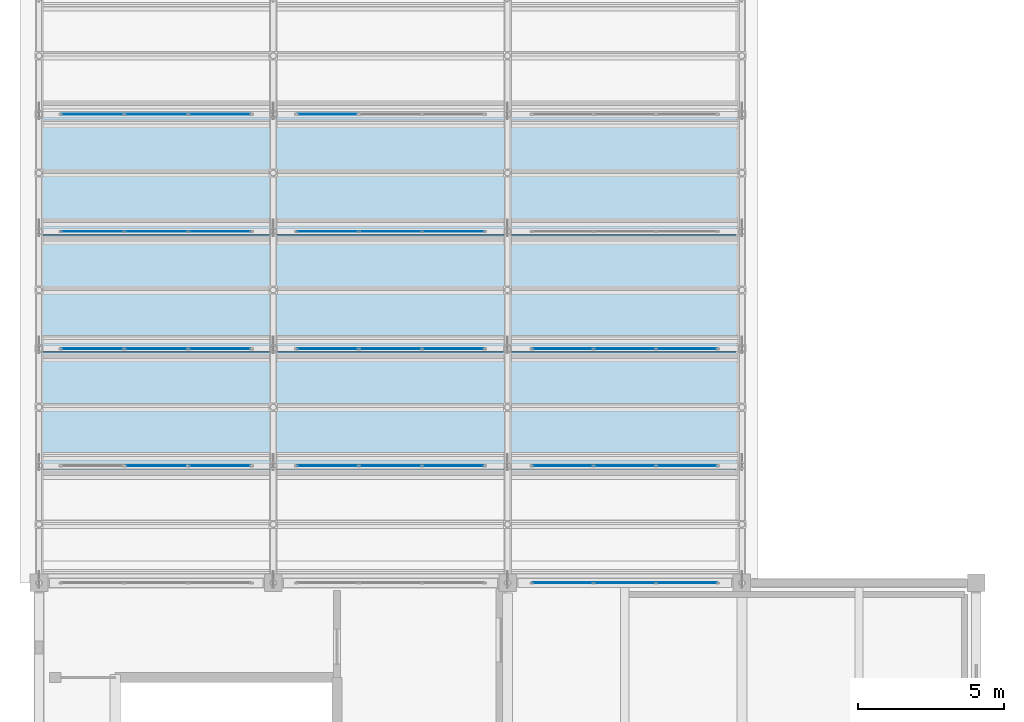
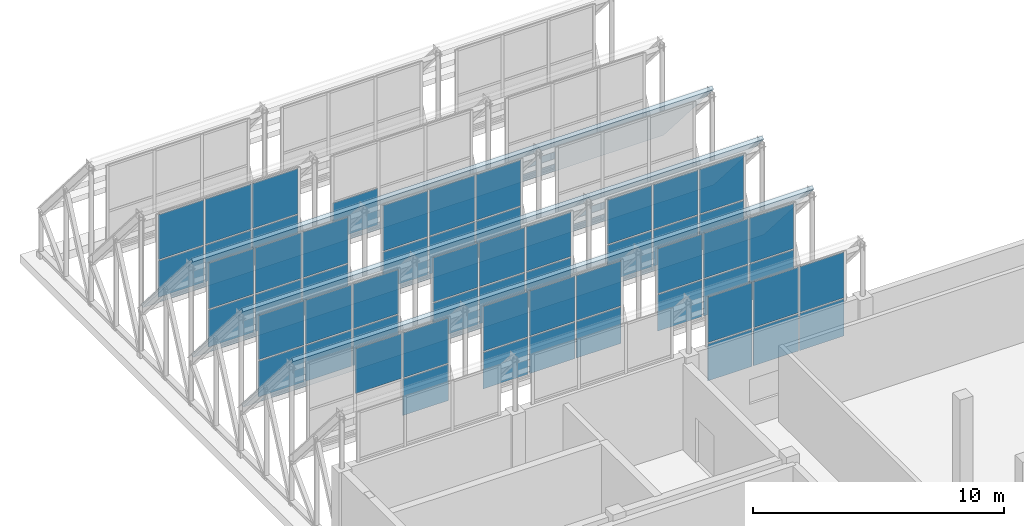
# One storey, part 31 of 43: 58 plates, 3 slabs, 14 elements without a shape of their own.
"""IFC4 building model written with IfcOpenShell, lengths in metres."""

from ifc_helpers import new_model, si_unit, direction, frame, origin, origin_2d, place, context, subcontext, project, spatial, polyline, rectangle, outline, extrude, material, layer, layer_set, type_object, element, aggregate, save


model = new_model("IFC4")

# Units and contexts
model_context = context("Model", 3, precision=1e-05, world=origin(), true_north=direction((0.0, 1.0)))
body_context = subcontext(model_context, "Body", "Model", "MODEL_VIEW")
ifc_project = project(units=[si_unit("LENGTHUNIT", "METRE"), si_unit("AREAUNIT", "SQUARE_METRE"), si_unit("VOLUMEUNIT", "CUBIC_METRE"), si_unit("PLANEANGLEUNIT", "RADIAN"), si_unit("MASSUNIT", "GRAM", prefix="KILO")], contexts=[model_context])

# Site, building, storey
site_placement = place(None, origin())
site = spatial("IfcSite", under=ifc_project, at=site_placement, CompositionType="ELEMENT")
building_placement = place(site_placement, origin())
building = spatial("IfcBuilding", under=site, at=building_placement, Name="Qorikala Patio Media Centre", CompositionType="ELEMENT")
storey_placement = place(building_placement, frame((0.0, 0.0, 18.89990234375)))
storey = spatial("IfcBuildingStorey", under=building, at=storey_placement, Name="L04", CompositionType="ELEMENT", Elevation=18.89990234375)

# Curtain wall, plates
ifc_material_1 = material(Name="Bronze Anodised Aluminium and Low-E Glass", Category="aluminium")
ifc_layer_1 = layer(ifc_material_1, 0.159912109375)
ifc_layer_set_1 = layer_set([ifc_layer_1], Name="Bronze Anodised Aluminium and Low-E Glass")
curtain_wall_type_1 = type_object("IfcCurtainWallType", Name="CW-SAW-640X420", PredefinedType="USERDEFINED", material=ifc_layer_set_1)
curtain_wall_1_placement = place(storey_placement, origin())
curtain_wall_1 = element("IfcCurtainWall", 1, at=curtain_wall_1_placement, inside=storey, type_object=curtain_wall_type_1, Name="L04 Sawtooth Glazing 144", ObjectType="SAWTOOTH GLAZING", PredefinedType="USERDEFINED")
ifc_material_2 = material(Name="Acoustic Laminated Low-E Glass", Category="glass")
ifc_layer_2 = layer(ifc_material_2, 0.031982421875)
ifc_layer_set_2 = layer_set([ifc_layer_2], Name="Acoustic Laminated Low-E Glass")
plate_type = type_object("IfcPlateType", Name="CWP-32", PredefinedType="CURTAIN_PANEL", material=ifc_layer_set_2)
plate_1_placement = place(storey_placement, frame((20.881591796875, 72.0, 2.81005859375), z_axis=(0.0, 0.0, 1.0), x_axis=(1.0, 0.0, 0.0)))
plate_1 = element("IfcPlate", 2, at=plate_1_placement, type_object=plate_type, Name="CWS640420 panel 1.1", PredefinedType="CURTAIN_PANEL", context=body_context, shape_type="SweptSolid", body=[
    extrude(rectangle(XDim=2.043212890625, YDim=0.031982421875, at=origin_2d()), origin(), (0.0, 0.0, 1.0), 1.800048828125),
])
plate_2_placement = place(storey_placement, frame((20.881591796875, 72.0, 4.669921875), z_axis=(0.0, 0.0, 1.0), x_axis=(1.0, 0.0, 0.0)))
plate_2 = element("IfcPlate", 3, at=plate_2_placement, type_object=plate_type, Name="CWS640420 panel 1.2", PredefinedType="CURTAIN_PANEL", context=body_context, shape_type="SweptSolid", body=[
    extrude(rectangle(XDim=2.043212890625, YDim=0.031982421875, at=origin_2d()), origin(), (0.0, 0.0, 1.0), 2.219970703125),
])
plate_3_placement = place(storey_placement, frame((23.0, 72.0, 2.81005859375), z_axis=(0.0, 0.0, 1.0), x_axis=(1.0, 0.0, 0.0)))
plate_3 = element("IfcPlate", 4, at=plate_3_placement, type_object=plate_type, Name="CWS640420 panel 2.1", PredefinedType="CURTAIN_PANEL", context=body_context, shape_type="SweptSolid", body=[
    extrude(rectangle(XDim=2.0732421875, YDim=0.031982421875, at=origin_2d()), origin(), (0.0, 0.0, 1.0), 1.800048828125),
])
plate_4_placement = place(storey_placement, frame((23.0, 72.0, 4.669921875), z_axis=(0.0, 0.0, 1.0), x_axis=(1.0, 0.0, 0.0)))
plate_4 = element("IfcPlate", 5, at=plate_4_placement, type_object=plate_type, Name="CWS640420 panel 2.2", PredefinedType="CURTAIN_PANEL", context=body_context, shape_type="SweptSolid", body=[
    extrude(rectangle(XDim=2.0732421875, YDim=0.031982421875, at=origin_2d()), origin(), (0.0, 0.0, 1.0), 2.219970703125),
])
plate_5_placement = place(storey_placement, frame((25.118408203125, 72.0, 2.81005859375), z_axis=(0.0, 0.0, 1.0), x_axis=(1.0, 0.0, 0.0)))
plate_5 = element("IfcPlate", 6, at=plate_5_placement, type_object=plate_type, Name="CWS640420 panel 3.1", PredefinedType="CURTAIN_PANEL", context=body_context, shape_type="SweptSolid", body=[
    extrude(rectangle(XDim=2.043212890625, YDim=0.031982421875, at=origin_2d()), origin(), (0.0, 0.0, 1.0), 1.800048828125),
])
plate_6_placement = place(storey_placement, frame((25.118408203125, 72.0, 4.669921875), z_axis=(0.0, 0.0, 1.0), x_axis=(1.0, 0.0, 0.0)))
plate_6 = element("IfcPlate", 7, at=plate_6_placement, type_object=plate_type, Name="CWS640420 panel 3.2", PredefinedType="CURTAIN_PANEL", context=body_context, shape_type="SweptSolid", body=[
    extrude(rectangle(XDim=2.043212890625, YDim=0.031982421875, at=origin_2d()), origin(), (0.0, 0.0, 1.0), 2.219970703125),
])
aggregate(curtain_wall_1, [plate_1, plate_2, plate_3, plate_4, plate_5, plate_6])

ifc_layer_3 = layer(ifc_material_1, 0.159912109375)
ifc_layer_set_3 = layer_set([ifc_layer_3], Name="Bronze Anodised Aluminium and Low-E Glass")
curtain_wall_type_2 = type_object("IfcCurtainWallType", Name="CW-SAW-656X414", PredefinedType="USERDEFINED", material=ifc_layer_set_3)
curtain_wall_2_placement = place(storey_placement, origin())
curtain_wall_2 = element("IfcCurtainWall", 8, at=curtain_wall_2_placement, inside=storey, type_object=curtain_wall_type_2, Name="L04 Sawtooth Glazing 145", ObjectType="SAWTOOTH GLAZING", PredefinedType="USERDEFINED")
plate_7_placement = place(storey_placement, frame((7.0, 76.0, 4.64306640625), z_axis=(0.0, 0.0, 1.0), x_axis=(1.0, 0.0, 0.0)))
plate_7 = element("IfcPlate", 9, at=plate_7_placement, type_object=plate_type, Name="CWS656414 panel 2.2", PredefinedType="CURTAIN_PANEL", context=body_context, shape_type="SweptSolid", body=[
    extrude(rectangle(XDim=2.126708984375, YDim=0.031982421875, at=origin_2d()), origin(), (0.0, 0.0, 1.0), 2.18701171875),
])
plate_8_placement = place(storey_placement, frame((9.171630859375, 76.0, 2.81005859375), z_axis=(0.0, 0.0, 1.0), x_axis=(1.0, 0.0, 0.0)))
plate_8 = element("IfcPlate", 10, at=plate_8_placement, type_object=plate_type, Name="CWS656414 panel 3.1", PredefinedType="CURTAIN_PANEL", context=body_context, shape_type="SweptSolid", body=[
    extrude(rectangle(XDim=2.0966796875, YDim=0.031982421875, at=origin_2d()), origin(), (0.0, 0.0, 1.0), 1.77294921875),
])
plate_9_placement = place(storey_placement, frame((9.171630859375, 76.0, 4.64306640625), z_axis=(0.0, 0.0, 1.0), x_axis=(1.0, 0.0, 0.0)))
plate_9 = element("IfcPlate", 11, at=plate_9_placement, type_object=plate_type, Name="CWS656414 panel 3.2", PredefinedType="CURTAIN_PANEL", context=body_context, shape_type="SweptSolid", body=[
    extrude(rectangle(XDim=2.0966796875, YDim=0.031982421875, at=origin_2d()), origin(), (0.0, 0.0, 1.0), 2.18701171875),
])
aggregate(curtain_wall_2, [plate_7, plate_8, plate_9])

ifc_layer_4 = layer(ifc_material_1, 0.159912109375)
ifc_layer_set_4 = layer_set([ifc_layer_4], Name="Bronze Anodised Aluminium and Low-E Glass")
curtain_wall_type_3 = type_object("IfcCurtainWallType", Name="CW-SAW-648X414", PredefinedType="USERDEFINED", material=ifc_layer_set_4)
curtain_wall_3_placement = place(storey_placement, origin())
curtain_wall_3 = element("IfcCurtainWall", 12, at=curtain_wall_3_placement, inside=storey, type_object=curtain_wall_type_3, Name="L04 Sawtooth Glazing 146", ObjectType="SAWTOOTH GLAZING", PredefinedType="USERDEFINED")
plate_10_placement = place(storey_placement, frame((12.85498046875, 76.0, 2.81005859375), z_axis=(0.0, 0.0, 1.0), x_axis=(1.0, 0.0, 0.0)))
plate_10 = element("IfcPlate", 13, at=plate_10_placement, type_object=plate_type, Name="CWS648414 panel 1.1", PredefinedType="CURTAIN_PANEL", context=body_context, shape_type="SweptSolid", body=[
    extrude(rectangle(XDim=2.070068359375, YDim=0.031982421875, at=origin_2d()), origin(), (0.0, 0.0, 1.0), 1.77294921875),
])
plate_11_placement = place(storey_placement, frame((12.85498046875, 76.0, 4.64306640625), z_axis=(0.0, 0.0, 1.0), x_axis=(1.0, 0.0, 0.0)))
plate_11 = element("IfcPlate", 14, at=plate_11_placement, type_object=plate_type, Name="CWS648414 panel 1.2", PredefinedType="CURTAIN_PANEL", context=body_context, shape_type="SweptSolid", body=[
    extrude(rectangle(XDim=2.070068359375, YDim=0.031982421875, at=origin_2d()), origin(), (0.0, 0.0, 1.0), 2.18701171875),
])
plate_12_placement = place(storey_placement, frame((15.0, 76.0, 2.81005859375), z_axis=(0.0, 0.0, 1.0), x_axis=(1.0, 0.0, 0.0)))
plate_12 = element("IfcPlate", 15, at=plate_12_placement, type_object=plate_type, Name="CWS648414 panel 2.1", PredefinedType="CURTAIN_PANEL", context=body_context, shape_type="SweptSolid", body=[
    extrude(rectangle(XDim=2.10009765625, YDim=0.031982421875, at=origin_2d()), origin(), (0.0, 0.0, 1.0), 1.77294921875),
])
plate_13_placement = place(storey_placement, frame((15.0, 76.0, 4.64306640625), z_axis=(0.0, 0.0, 1.0), x_axis=(1.0, 0.0, 0.0)))
plate_13 = element("IfcPlate", 16, at=plate_13_placement, type_object=plate_type, Name="CWS648414 panel 2.2", PredefinedType="CURTAIN_PANEL", context=body_context, shape_type="SweptSolid", body=[
    extrude(rectangle(XDim=2.10009765625, YDim=0.031982421875, at=origin_2d()), origin(), (0.0, 0.0, 1.0), 2.18701171875),
])
plate_14_placement = place(storey_placement, frame((17.14501953125, 76.0, 2.81005859375), z_axis=(0.0, 0.0, 1.0), x_axis=(1.0, 0.0, 0.0)))
plate_14 = element("IfcPlate", 17, at=plate_14_placement, type_object=plate_type, Name="CWS648414 panel 3.1", PredefinedType="CURTAIN_PANEL", context=body_context, shape_type="SweptSolid", body=[
    extrude(rectangle(XDim=2.070068359375, YDim=0.031982421875, at=origin_2d()), origin(), (0.0, 0.0, 1.0), 1.77294921875),
])
plate_15_placement = place(storey_placement, frame((17.14501953125, 76.0, 4.64306640625), z_axis=(0.0, 0.0, 1.0), x_axis=(1.0, 0.0, 0.0)))
plate_15 = element("IfcPlate", 18, at=plate_15_placement, type_object=plate_type, Name="CWS648414 panel 3.2", PredefinedType="CURTAIN_PANEL", context=body_context, shape_type="SweptSolid", body=[
    extrude(rectangle(XDim=2.070068359375, YDim=0.031982421875, at=origin_2d()), origin(), (0.0, 0.0, 1.0), 2.18701171875),
])
aggregate(curtain_wall_3, [plate_10, plate_11, plate_12, plate_13, plate_14, plate_15])

ifc_layer_5 = layer(ifc_material_1, 0.159912109375)
ifc_layer_set_5 = layer_set([ifc_layer_5], Name="Bronze Anodised Aluminium and Low-E Glass")
curtain_wall_type_4 = type_object("IfcCurtainWallType", Name="CW-SAW-640X414", PredefinedType="USERDEFINED", material=ifc_layer_set_5)
curtain_wall_4_placement = place(storey_placement, origin())
curtain_wall_4 = element("IfcCurtainWall", 19, at=curtain_wall_4_placement, inside=storey, type_object=curtain_wall_type_4, Name="L04 Sawtooth Glazing 147", ObjectType="SAWTOOTH GLAZING", PredefinedType="USERDEFINED")
plate_16_placement = place(storey_placement, frame((20.881591796875, 76.0, 2.81005859375), z_axis=(0.0, 0.0, 1.0), x_axis=(1.0, 0.0, 0.0)))
plate_16 = element("IfcPlate", 20, at=plate_16_placement, type_object=plate_type, Name="CWS640414 panel 1.1", PredefinedType="CURTAIN_PANEL", context=body_context, shape_type="SweptSolid", body=[
    extrude(rectangle(XDim=2.043212890625, YDim=0.031982421875, at=origin_2d()), origin(), (0.0, 0.0, 1.0), 1.77294921875),
])
plate_17_placement = place(storey_placement, frame((20.881591796875, 76.0, 4.64306640625), z_axis=(0.0, 0.0, 1.0), x_axis=(1.0, 0.0, 0.0)))
plate_17 = element("IfcPlate", 21, at=plate_17_placement, type_object=plate_type, Name="CWS640414 panel 1.2", PredefinedType="CURTAIN_PANEL", context=body_context, shape_type="SweptSolid", body=[
    extrude(rectangle(XDim=2.043212890625, YDim=0.031982421875, at=origin_2d()), origin(), (0.0, 0.0, 1.0), 2.18701171875),
])
plate_18_placement = place(storey_placement, frame((23.0, 76.0, 2.81005859375), z_axis=(0.0, 0.0, 1.0), x_axis=(1.0, 0.0, 0.0)))
plate_18 = element("IfcPlate", 22, at=plate_18_placement, type_object=plate_type, Name="CWS640414 panel 2.1", PredefinedType="CURTAIN_PANEL", context=body_context, shape_type="SweptSolid", body=[
    extrude(rectangle(XDim=2.0732421875, YDim=0.031982421875, at=origin_2d()), origin(), (0.0, 0.0, 1.0), 1.77294921875),
])
plate_19_placement = place(storey_placement, frame((23.0, 76.0, 4.64306640625), z_axis=(0.0, 0.0, 1.0), x_axis=(1.0, 0.0, 0.0)))
plate_19 = element("IfcPlate", 23, at=plate_19_placement, type_object=plate_type, Name="CWS640414 panel 2.2", PredefinedType="CURTAIN_PANEL", context=body_context, shape_type="SweptSolid", body=[
    extrude(rectangle(XDim=2.0732421875, YDim=0.031982421875, at=origin_2d()), origin(), (0.0, 0.0, 1.0), 2.18701171875),
])
plate_20_placement = place(storey_placement, frame((25.118408203125, 76.0, 2.81005859375), z_axis=(0.0, 0.0, 1.0), x_axis=(1.0, 0.0, 0.0)))
plate_20 = element("IfcPlate", 24, at=plate_20_placement, type_object=plate_type, Name="CWS640414 panel 3.1", PredefinedType="CURTAIN_PANEL", context=body_context, shape_type="SweptSolid", body=[
    extrude(rectangle(XDim=2.043212890625, YDim=0.031982421875, at=origin_2d()), origin(), (0.0, 0.0, 1.0), 1.77294921875),
])
plate_21_placement = place(storey_placement, frame((25.118408203125, 76.0, 4.64306640625), z_axis=(0.0, 0.0, 1.0), x_axis=(1.0, 0.0, 0.0)))
plate_21 = element("IfcPlate", 25, at=plate_21_placement, type_object=plate_type, Name="CWS640414 panel 3.2", PredefinedType="CURTAIN_PANEL", context=body_context, shape_type="SweptSolid", body=[
    extrude(rectangle(XDim=2.043212890625, YDim=0.031982421875, at=origin_2d()), origin(), (0.0, 0.0, 1.0), 2.18701171875),
])
aggregate(curtain_wall_4, [plate_16, plate_17, plate_18, plate_19, plate_20, plate_21])

ifc_layer_6 = layer(ifc_material_1, 0.159912109375)
ifc_layer_set_6 = layer_set([ifc_layer_6], Name="Bronze Anodised Aluminium and Low-E Glass")
curtain_wall_type_5 = type_object("IfcCurtainWallType", Name="CW-SAW-656X408", PredefinedType="USERDEFINED", material=ifc_layer_set_6)
curtain_wall_5_placement = place(storey_placement, origin())
curtain_wall_5 = element("IfcCurtainWall", 26, at=curtain_wall_5_placement, inside=storey, type_object=curtain_wall_type_5, Name="L04 Sawtooth Glazing 148", ObjectType="SAWTOOTH GLAZING", PredefinedType="USERDEFINED")
plate_22_placement = place(storey_placement, frame((4.828369140625, 80.0, 2.81005859375), z_axis=(0.0, 0.0, 1.0), x_axis=(1.0, 0.0, 0.0)))
plate_22 = element("IfcPlate", 27, at=plate_22_placement, type_object=plate_type, Name="CWS656408 panel 1.1", PredefinedType="CURTAIN_PANEL", context=body_context, shape_type="SweptSolid", body=[
    extrude(rectangle(XDim=2.0966796875, YDim=0.031982421875, at=origin_2d()), origin(), (0.0, 0.0, 1.0), 1.74609375),
])
plate_23_placement = place(storey_placement, frame((4.828369140625, 80.0, 4.6162109375), z_axis=(0.0, 0.0, 1.0), x_axis=(1.0, 0.0, 0.0)))
plate_23 = element("IfcPlate", 28, at=plate_23_placement, type_object=plate_type, Name="CWS656408 panel 1.2", PredefinedType="CURTAIN_PANEL", context=body_context, shape_type="SweptSolid", body=[
    extrude(rectangle(XDim=2.0966796875, YDim=0.031982421875, at=origin_2d()), origin(), (0.0, 0.0, 1.0), 2.154052734375),
])
plate_24_placement = place(storey_placement, frame((7.0, 80.0, 2.81005859375), z_axis=(0.0, 0.0, 1.0), x_axis=(1.0, 0.0, 0.0)))
plate_24 = element("IfcPlate", 29, at=plate_24_placement, type_object=plate_type, Name="CWS656408 panel 2.1", PredefinedType="CURTAIN_PANEL", context=body_context, shape_type="SweptSolid", body=[
    extrude(rectangle(XDim=2.126708984375, YDim=0.031982421875, at=origin_2d()), origin(), (0.0, 0.0, 1.0), 1.74609375),
])
plate_25_placement = place(storey_placement, frame((7.0, 80.0, 4.6162109375), z_axis=(0.0, 0.0, 1.0), x_axis=(1.0, 0.0, 0.0)))
plate_25 = element("IfcPlate", 30, at=plate_25_placement, type_object=plate_type, Name="CWS656408 panel 2.2", PredefinedType="CURTAIN_PANEL", context=body_context, shape_type="SweptSolid", body=[
    extrude(rectangle(XDim=2.126708984375, YDim=0.031982421875, at=origin_2d()), origin(), (0.0, 0.0, 1.0), 2.154052734375),
])
plate_26_placement = place(storey_placement, frame((9.171630859375, 80.0, 2.81005859375), z_axis=(0.0, 0.0, 1.0), x_axis=(1.0, 0.0, 0.0)))
plate_26 = element("IfcPlate", 31, at=plate_26_placement, type_object=plate_type, Name="CWS656408 panel 3.1", PredefinedType="CURTAIN_PANEL", context=body_context, shape_type="SweptSolid", body=[
    extrude(rectangle(XDim=2.0966796875, YDim=0.031982421875, at=origin_2d()), origin(), (0.0, 0.0, 1.0), 1.74609375),
])
plate_27_placement = place(storey_placement, frame((9.171630859375, 80.0, 4.6162109375), z_axis=(0.0, 0.0, 1.0), x_axis=(1.0, 0.0, 0.0)))
plate_27 = element("IfcPlate", 32, at=plate_27_placement, type_object=plate_type, Name="CWS656408 panel 3.2", PredefinedType="CURTAIN_PANEL", context=body_context, shape_type="SweptSolid", body=[
    extrude(rectangle(XDim=2.0966796875, YDim=0.031982421875, at=origin_2d()), origin(), (0.0, 0.0, 1.0), 2.154052734375),
])
aggregate(curtain_wall_5, [plate_22, plate_23, plate_24, plate_25, plate_26, plate_27])

ifc_layer_7 = layer(ifc_material_1, 0.159912109375)
ifc_layer_set_7 = layer_set([ifc_layer_7], Name="Bronze Anodised Aluminium and Low-E Glass")
curtain_wall_type_6 = type_object("IfcCurtainWallType", Name="CW-SAW-648X408", PredefinedType="USERDEFINED", material=ifc_layer_set_7)
curtain_wall_6_placement = place(storey_placement, origin())
curtain_wall_6 = element("IfcCurtainWall", 33, at=curtain_wall_6_placement, inside=storey, type_object=curtain_wall_type_6, Name="L04 Sawtooth Glazing 149", ObjectType="SAWTOOTH GLAZING", PredefinedType="USERDEFINED")
plate_28_placement = place(storey_placement, frame((12.85498046875, 80.0, 2.81005859375), z_axis=(0.0, 0.0, 1.0), x_axis=(1.0, 0.0, 0.0)))
plate_28 = element("IfcPlate", 34, at=plate_28_placement, type_object=plate_type, Name="CWS648408 panel 1.1", PredefinedType="CURTAIN_PANEL", context=body_context, shape_type="SweptSolid", body=[
    extrude(rectangle(XDim=2.070068359375, YDim=0.031982421875, at=origin_2d()), origin(), (0.0, 0.0, 1.0), 1.74609375),
])
plate_29_placement = place(storey_placement, frame((12.85498046875, 80.0, 4.6162109375), z_axis=(0.0, 0.0, 1.0), x_axis=(1.0, 0.0, 0.0)))
plate_29 = element("IfcPlate", 35, at=plate_29_placement, type_object=plate_type, Name="CWS648408 panel 1.2", PredefinedType="CURTAIN_PANEL", context=body_context, shape_type="SweptSolid", body=[
    extrude(rectangle(XDim=2.070068359375, YDim=0.031982421875, at=origin_2d()), origin(), (0.0, 0.0, 1.0), 2.154052734375),
])
plate_30_placement = place(storey_placement, frame((15.0, 80.0, 2.81005859375), z_axis=(0.0, 0.0, 1.0), x_axis=(1.0, 0.0, 0.0)))
plate_30 = element("IfcPlate", 36, at=plate_30_placement, type_object=plate_type, Name="CWS648408 panel 2.1", PredefinedType="CURTAIN_PANEL", context=body_context, shape_type="SweptSolid", body=[
    extrude(rectangle(XDim=2.10009765625, YDim=0.031982421875, at=origin_2d()), origin(), (0.0, 0.0, 1.0), 1.74609375),
])
plate_31_placement = place(storey_placement, frame((15.0, 80.0, 4.6162109375), z_axis=(0.0, 0.0, 1.0), x_axis=(1.0, 0.0, 0.0)))
plate_31 = element("IfcPlate", 37, at=plate_31_placement, type_object=plate_type, Name="CWS648408 panel 2.2", PredefinedType="CURTAIN_PANEL", context=body_context, shape_type="SweptSolid", body=[
    extrude(rectangle(XDim=2.10009765625, YDim=0.031982421875, at=origin_2d()), origin(), (0.0, 0.0, 1.0), 2.154052734375),
])
plate_32_placement = place(storey_placement, frame((17.14501953125, 80.0, 2.81005859375), z_axis=(0.0, 0.0, 1.0), x_axis=(1.0, 0.0, 0.0)))
plate_32 = element("IfcPlate", 38, at=plate_32_placement, type_object=plate_type, Name="CWS648408 panel 3.1", PredefinedType="CURTAIN_PANEL", context=body_context, shape_type="SweptSolid", body=[
    extrude(rectangle(XDim=2.070068359375, YDim=0.031982421875, at=origin_2d()), origin(), (0.0, 0.0, 1.0), 1.74609375),
])
plate_33_placement = place(storey_placement, frame((17.14501953125, 80.0, 4.6162109375), z_axis=(0.0, 0.0, 1.0), x_axis=(1.0, 0.0, 0.0)))
plate_33 = element("IfcPlate", 39, at=plate_33_placement, type_object=plate_type, Name="CWS648408 panel 3.2", PredefinedType="CURTAIN_PANEL", context=body_context, shape_type="SweptSolid", body=[
    extrude(rectangle(XDim=2.070068359375, YDim=0.031982421875, at=origin_2d()), origin(), (0.0, 0.0, 1.0), 2.154052734375),
])
aggregate(curtain_wall_6, [plate_28, plate_29, plate_30, plate_31, plate_32, plate_33])

ifc_layer_8 = layer(ifc_material_1, 0.159912109375)
ifc_layer_set_8 = layer_set([ifc_layer_8], Name="Bronze Anodised Aluminium and Low-E Glass")
curtain_wall_type_7 = type_object("IfcCurtainWallType", Name="CW-SAW-640X408", PredefinedType="USERDEFINED", material=ifc_layer_set_8)
curtain_wall_7_placement = place(storey_placement, origin())
curtain_wall_7 = element("IfcCurtainWall", 40, at=curtain_wall_7_placement, inside=storey, type_object=curtain_wall_type_7, Name="L04 Sawtooth Glazing 150", ObjectType="SAWTOOTH GLAZING", PredefinedType="USERDEFINED")
plate_34_placement = place(storey_placement, frame((20.881591796875, 80.0, 2.81005859375), z_axis=(0.0, 0.0, 1.0), x_axis=(1.0, 0.0, 0.0)))
plate_34 = element("IfcPlate", 41, at=plate_34_placement, type_object=plate_type, Name="CWS640408 panel 1.1", PredefinedType="CURTAIN_PANEL", context=body_context, shape_type="SweptSolid", body=[
    extrude(rectangle(XDim=2.043212890625, YDim=0.031982421875, at=origin_2d()), origin(), (0.0, 0.0, 1.0), 1.74609375),
])
plate_35_placement = place(storey_placement, frame((20.881591796875, 80.0, 4.6162109375), z_axis=(0.0, 0.0, 1.0), x_axis=(1.0, 0.0, 0.0)))
plate_35 = element("IfcPlate", 42, at=plate_35_placement, type_object=plate_type, Name="CWS640408 panel 1.2", PredefinedType="CURTAIN_PANEL", context=body_context, shape_type="SweptSolid", body=[
    extrude(rectangle(XDim=2.043212890625, YDim=0.031982421875, at=origin_2d()), origin(), (0.0, 0.0, 1.0), 2.154052734375),
])
plate_36_placement = place(storey_placement, frame((23.0, 80.0, 2.81005859375), z_axis=(0.0, 0.0, 1.0), x_axis=(1.0, 0.0, 0.0)))
plate_36 = element("IfcPlate", 43, at=plate_36_placement, type_object=plate_type, Name="CWS640408 panel 2.1", PredefinedType="CURTAIN_PANEL", context=body_context, shape_type="SweptSolid", body=[
    extrude(rectangle(XDim=2.0732421875, YDim=0.031982421875, at=origin_2d()), origin(), (0.0, 0.0, 1.0), 1.74609375),
])
plate_37_placement = place(storey_placement, frame((23.0, 80.0, 4.6162109375), z_axis=(0.0, 0.0, 1.0), x_axis=(1.0, 0.0, 0.0)))
plate_37 = element("IfcPlate", 44, at=plate_37_placement, type_object=plate_type, Name="CWS640408 panel 2.2", PredefinedType="CURTAIN_PANEL", context=body_context, shape_type="SweptSolid", body=[
    extrude(rectangle(XDim=2.0732421875, YDim=0.031982421875, at=origin_2d()), origin(), (0.0, 0.0, 1.0), 2.154052734375),
])
plate_38_placement = place(storey_placement, frame((25.118408203125, 80.0, 2.81005859375), z_axis=(0.0, 0.0, 1.0), x_axis=(1.0, 0.0, 0.0)))
plate_38 = element("IfcPlate", 45, at=plate_38_placement, type_object=plate_type, Name="CWS640408 panel 3.1", PredefinedType="CURTAIN_PANEL", context=body_context, shape_type="SweptSolid", body=[
    extrude(rectangle(XDim=2.043212890625, YDim=0.031982421875, at=origin_2d()), origin(), (0.0, 0.0, 1.0), 1.74609375),
])
plate_39_placement = place(storey_placement, frame((25.118408203125, 80.0, 4.6162109375), z_axis=(0.0, 0.0, 1.0), x_axis=(1.0, 0.0, 0.0)))
plate_39 = element("IfcPlate", 46, at=plate_39_placement, type_object=plate_type, Name="CWS640408 panel 3.2", PredefinedType="CURTAIN_PANEL", context=body_context, shape_type="SweptSolid", body=[
    extrude(rectangle(XDim=2.043212890625, YDim=0.031982421875, at=origin_2d()), origin(), (0.0, 0.0, 1.0), 2.154052734375),
])
aggregate(curtain_wall_7, [plate_34, plate_35, plate_36, plate_37, plate_38, plate_39])

ifc_layer_9 = layer(ifc_material_1, 0.159912109375)
ifc_layer_set_9 = layer_set([ifc_layer_9], Name="Bronze Anodised Aluminium and Low-E Glass")
curtain_wall_type_8 = type_object("IfcCurtainWallType", Name="CW-SAW-656X420", PredefinedType="USERDEFINED", material=ifc_layer_set_9)
curtain_wall_8_placement = place(storey_placement, origin())
curtain_wall_8 = element("IfcCurtainWall", 47, at=curtain_wall_8_placement, inside=storey, type_object=curtain_wall_type_8, Name="L04 Sawtooth Glazing 151", ObjectType="SAWTOOTH GLAZING", PredefinedType="USERDEFINED")
plate_40_placement = place(storey_placement, frame((4.828369140625, 84.0, 2.81005859375), z_axis=(0.0, 0.0, 1.0), x_axis=(1.0, 0.0, 0.0)))
plate_40 = element("IfcPlate", 48, at=plate_40_placement, type_object=plate_type, Name="CWS656420 panel 1.1", PredefinedType="CURTAIN_PANEL", context=body_context, shape_type="SweptSolid", body=[
    extrude(rectangle(XDim=2.0966796875, YDim=0.031982421875, at=origin_2d()), origin(), (0.0, 0.0, 1.0), 1.800048828125),
])
plate_41_placement = place(storey_placement, frame((4.828369140625, 84.0, 4.669921875), z_axis=(0.0, 0.0, 1.0), x_axis=(1.0, 0.0, 0.0)))
plate_41 = element("IfcPlate", 49, at=plate_41_placement, type_object=plate_type, Name="CWS656420 panel 1.2", PredefinedType="CURTAIN_PANEL", context=body_context, shape_type="SweptSolid", body=[
    extrude(rectangle(XDim=2.0966796875, YDim=0.031982421875, at=origin_2d()), origin(), (0.0, 0.0, 1.0), 2.219970703125),
])
plate_42_placement = place(storey_placement, frame((7.0, 84.0, 2.81005859375), z_axis=(0.0, 0.0, 1.0), x_axis=(1.0, 0.0, 0.0)))
plate_42 = element("IfcPlate", 50, at=plate_42_placement, type_object=plate_type, Name="CWS656420 panel 2.1", PredefinedType="CURTAIN_PANEL", context=body_context, shape_type="SweptSolid", body=[
    extrude(rectangle(XDim=2.126708984375, YDim=0.031982421875, at=origin_2d()), origin(), (0.0, 0.0, 1.0), 1.800048828125),
])
plate_43_placement = place(storey_placement, frame((7.0, 84.0, 4.669921875), z_axis=(0.0, 0.0, 1.0), x_axis=(1.0, 0.0, 0.0)))
plate_43 = element("IfcPlate", 51, at=plate_43_placement, type_object=plate_type, Name="CWS656420 panel 2.2", PredefinedType="CURTAIN_PANEL", context=body_context, shape_type="SweptSolid", body=[
    extrude(rectangle(XDim=2.126708984375, YDim=0.031982421875, at=origin_2d()), origin(), (0.0, 0.0, 1.0), 2.219970703125),
])
plate_44_placement = place(storey_placement, frame((9.171630859375, 84.0, 2.81005859375), z_axis=(0.0, 0.0, 1.0), x_axis=(1.0, 0.0, 0.0)))
plate_44 = element("IfcPlate", 52, at=plate_44_placement, type_object=plate_type, Name="CWS656420 panel 3.1", PredefinedType="CURTAIN_PANEL", context=body_context, shape_type="SweptSolid", body=[
    extrude(rectangle(XDim=2.0966796875, YDim=0.031982421875, at=origin_2d()), origin(), (0.0, 0.0, 1.0), 1.800048828125),
])
plate_45_placement = place(storey_placement, frame((9.171630859375, 84.0, 4.669921875), z_axis=(0.0, 0.0, 1.0), x_axis=(1.0, 0.0, 0.0)))
plate_45 = element("IfcPlate", 53, at=plate_45_placement, type_object=plate_type, Name="CWS656420 panel 3.2", PredefinedType="CURTAIN_PANEL", context=body_context, shape_type="SweptSolid", body=[
    extrude(rectangle(XDim=2.0966796875, YDim=0.031982421875, at=origin_2d()), origin(), (0.0, 0.0, 1.0), 2.219970703125),
])
aggregate(curtain_wall_8, [plate_40, plate_41, plate_42, plate_43, plate_44, plate_45])

ifc_layer_10 = layer(ifc_material_1, 0.159912109375)
ifc_layer_set_10 = layer_set([ifc_layer_10], Name="Bronze Anodised Aluminium and Low-E Glass")
curtain_wall_type_9 = type_object("IfcCurtainWallType", Name="CW-SAW-648X420", PredefinedType="USERDEFINED", material=ifc_layer_set_10)
curtain_wall_9_placement = place(storey_placement, origin())
curtain_wall_9 = element("IfcCurtainWall", 54, at=curtain_wall_9_placement, inside=storey, type_object=curtain_wall_type_9, Name="L04 Sawtooth Glazing 152", ObjectType="SAWTOOTH GLAZING", PredefinedType="USERDEFINED")
plate_46_placement = place(storey_placement, frame((12.85498046875, 84.0, 2.81005859375), z_axis=(0.0, 0.0, 1.0), x_axis=(1.0, 0.0, 0.0)))
plate_46 = element("IfcPlate", 55, at=plate_46_placement, type_object=plate_type, Name="CWS648420 panel 1.1", PredefinedType="CURTAIN_PANEL", context=body_context, shape_type="SweptSolid", body=[
    extrude(rectangle(XDim=2.070068359375, YDim=0.031982421875, at=origin_2d()), origin(), (0.0, 0.0, 1.0), 1.800048828125),
])
plate_47_placement = place(storey_placement, frame((12.85498046875, 84.0, 4.669921875), z_axis=(0.0, 0.0, 1.0), x_axis=(1.0, 0.0, 0.0)))
plate_47 = element("IfcPlate", 56, at=plate_47_placement, type_object=plate_type, Name="CWS648420 panel 1.2", PredefinedType="CURTAIN_PANEL", context=body_context, shape_type="SweptSolid", body=[
    extrude(rectangle(XDim=2.070068359375, YDim=0.031982421875, at=origin_2d()), origin(), (0.0, 0.0, 1.0), 2.219970703125),
])
plate_48_placement = place(storey_placement, frame((15.0, 84.0, 2.81005859375), z_axis=(0.0, 0.0, 1.0), x_axis=(1.0, 0.0, 0.0)))
plate_48 = element("IfcPlate", 57, at=plate_48_placement, type_object=plate_type, Name="CWS648420 panel 2.1", PredefinedType="CURTAIN_PANEL", context=body_context, shape_type="SweptSolid", body=[
    extrude(rectangle(XDim=2.10009765625, YDim=0.031982421875, at=origin_2d()), origin(), (0.0, 0.0, 1.0), 1.800048828125),
])
plate_49_placement = place(storey_placement, frame((15.0, 84.0, 4.669921875), z_axis=(0.0, 0.0, 1.0), x_axis=(1.0, 0.0, 0.0)))
plate_49 = element("IfcPlate", 58, at=plate_49_placement, type_object=plate_type, Name="CWS648420 panel 2.2", PredefinedType="CURTAIN_PANEL", context=body_context, shape_type="SweptSolid", body=[
    extrude(rectangle(XDim=2.10009765625, YDim=0.031982421875, at=origin_2d()), origin(), (0.0, 0.0, 1.0), 2.219970703125),
])
plate_50_placement = place(storey_placement, frame((17.14501953125, 84.0, 2.81005859375), z_axis=(0.0, 0.0, 1.0), x_axis=(1.0, 0.0, 0.0)))
plate_50 = element("IfcPlate", 59, at=plate_50_placement, type_object=plate_type, Name="CWS648420 panel 3.1", PredefinedType="CURTAIN_PANEL", context=body_context, shape_type="SweptSolid", body=[
    extrude(rectangle(XDim=2.070068359375, YDim=0.031982421875, at=origin_2d()), origin(), (0.0, 0.0, 1.0), 1.800048828125),
])
plate_51_placement = place(storey_placement, frame((17.14501953125, 84.0, 4.669921875), z_axis=(0.0, 0.0, 1.0), x_axis=(1.0, 0.0, 0.0)))
plate_51 = element("IfcPlate", 60, at=plate_51_placement, type_object=plate_type, Name="CWS648420 panel 3.2", PredefinedType="CURTAIN_PANEL", context=body_context, shape_type="SweptSolid", body=[
    extrude(rectangle(XDim=2.070068359375, YDim=0.031982421875, at=origin_2d()), origin(), (0.0, 0.0, 1.0), 2.219970703125),
])
aggregate(curtain_wall_9, [plate_46, plate_47, plate_48, plate_49, plate_50, plate_51])

curtain_wall_10_placement = place(storey_placement, origin())
curtain_wall_10 = element("IfcCurtainWall", 61, at=curtain_wall_10_placement, inside=storey, type_object=curtain_wall_type_2, Name="L04 Sawtooth Glazing 154", ObjectType="SAWTOOTH GLAZING", PredefinedType="USERDEFINED")
plate_52_placement = place(storey_placement, frame((4.828369140625, 88.0, 2.81005859375), z_axis=(0.0, 0.0, 1.0), x_axis=(1.0, 0.0, 0.0)))
plate_52 = element("IfcPlate", 62, at=plate_52_placement, type_object=plate_type, Name="CWS656414 panel 1.1", PredefinedType="CURTAIN_PANEL", context=body_context, shape_type="SweptSolid", body=[
    extrude(rectangle(XDim=2.0966796875, YDim=0.031982421875, at=origin_2d()), origin(), (0.0, 0.0, 1.0), 1.77294921875),
])
plate_53_placement = place(storey_placement, frame((4.828369140625, 88.0, 4.64306640625), z_axis=(0.0, 0.0, 1.0), x_axis=(1.0, 0.0, 0.0)))
plate_53 = element("IfcPlate", 63, at=plate_53_placement, type_object=plate_type, Name="CWS656414 panel 1.2", PredefinedType="CURTAIN_PANEL", context=body_context, shape_type="SweptSolid", body=[
    extrude(rectangle(XDim=2.0966796875, YDim=0.031982421875, at=origin_2d()), origin(), (0.0, 0.0, 1.0), 2.18701171875),
])
plate_54_placement = place(storey_placement, frame((7.0, 88.0, 2.81005859375), z_axis=(0.0, 0.0, 1.0), x_axis=(1.0, 0.0, 0.0)))
plate_54 = element("IfcPlate", 64, at=plate_54_placement, type_object=plate_type, Name="CWS656414 panel 2.1", PredefinedType="CURTAIN_PANEL", context=body_context, shape_type="SweptSolid", body=[
    extrude(rectangle(XDim=2.126708984375, YDim=0.031982421875, at=origin_2d()), origin(), (0.0, 0.0, 1.0), 1.77294921875),
])
plate_55_placement = place(storey_placement, frame((7.0, 88.0, 4.64306640625), z_axis=(0.0, 0.0, 1.0), x_axis=(1.0, 0.0, 0.0)))
plate_55 = element("IfcPlate", 65, at=plate_55_placement, type_object=plate_type, Name="CWS656414 panel 2.2", PredefinedType="CURTAIN_PANEL", context=body_context, shape_type="SweptSolid", body=[
    extrude(rectangle(XDim=2.126708984375, YDim=0.031982421875, at=origin_2d()), origin(), (0.0, 0.0, 1.0), 2.18701171875),
])
plate_56_placement = place(storey_placement, frame((9.171630859375, 88.0, 2.81005859375), z_axis=(0.0, 0.0, 1.0), x_axis=(1.0, 0.0, 0.0)))
plate_56 = element("IfcPlate", 66, at=plate_56_placement, type_object=plate_type, Name="CWS656414 panel 3.1", PredefinedType="CURTAIN_PANEL", context=body_context, shape_type="SweptSolid", body=[
    extrude(rectangle(XDim=2.0966796875, YDim=0.031982421875, at=origin_2d()), origin(), (0.0, 0.0, 1.0), 1.77294921875),
])
plate_57_placement = place(storey_placement, frame((9.171630859375, 88.0, 4.64306640625), z_axis=(0.0, 0.0, 1.0), x_axis=(1.0, 0.0, 0.0)))
plate_57 = element("IfcPlate", 67, at=plate_57_placement, type_object=plate_type, Name="CWS656414 panel 3.2", PredefinedType="CURTAIN_PANEL", context=body_context, shape_type="SweptSolid", body=[
    extrude(rectangle(XDim=2.0966796875, YDim=0.031982421875, at=origin_2d()), origin(), (0.0, 0.0, 1.0), 2.18701171875),
])
aggregate(curtain_wall_10, [plate_52, plate_53, plate_54, plate_55, plate_56, plate_57])

# Curtain wall, plate
curtain_wall_11_placement = place(storey_placement, origin())
curtain_wall_11 = element("IfcCurtainWall", 68, at=curtain_wall_11_placement, inside=storey, type_object=curtain_wall_type_3, Name="L04 Sawtooth Glazing 155", ObjectType="SAWTOOTH GLAZING", PredefinedType="USERDEFINED")
plate_58_placement = place(storey_placement, frame((12.85498046875, 88.0, 2.81005859375), z_axis=(0.0, 0.0, 1.0), x_axis=(1.0, 0.0, 0.0)))
plate_58 = element("IfcPlate", 69, at=plate_58_placement, type_object=plate_type, Name="CWS648414 panel 1.1", PredefinedType="CURTAIN_PANEL", context=body_context, shape_type="SweptSolid", body=[
    extrude(rectangle(XDim=2.070068359375, YDim=0.031982421875, at=origin_2d()), origin(), (0.0, 0.0, 1.0), 1.77294921875),
])
aggregate(curtain_wall_11, [plate_58])

# Roof, slab
ifc_material_3 = material(Name="Steel S355", Category="steel")
roof_type = type_object("IfcRoofType", Name="ROOF-SAWTOOTH", PredefinedType="SHED_ROOF", material=ifc_material_3)
roof_1_placement = place(storey_placement, origin())
roof_1 = element("IfcRoof", 70, at=roof_1_placement, inside=storey, type_object=roof_type, Name="SAW-V4 Sawtooth Roof Bay 2", PredefinedType="SHED_ROOF")
ifc_material_4 = material(Name="Insulated Steel Deck and Concrete C35/45", Category="concrete")
ifc_layer_11 = layer(ifc_material_4, 0.159912109375)
ifc_layer_set_11 = layer_set([ifc_layer_11], Name="Insulated Steel Deck and Concrete C35/45")
slab_type = type_object("IfcSlabType", Name="SL-SAW-160", PredefinedType="ROOF", material=ifc_layer_set_11)
slab_1_placement = place(storey_placement, frame((3.0, 76.0, 7.400146484375), z_axis=(0.0, 0.758114748465, 0.652121175978), x_axis=(1.0, 0.0, 0.0)))
slab_1 = element("IfcSlab", 71, at=slab_1_placement, type_object=slab_type, Name="SAW-V4 Sawtooth Roof Slab Bay 2", PredefinedType="ROOF", context=body_context, shape_type="SweptSolid", body=[
    extrude(outline(polyline([(0.0, 0.0), (24.0, 0.0), (24.0, 6.1338293362421785), (0.0, 6.1338293362421785), (0.0, 0.0)])), origin(), (0.0, 0.0, -1.0), 0.159912109375),
])
aggregate(roof_1, [slab_1])

roof_2_placement = place(storey_placement, origin())
roof_2 = element("IfcRoof", 72, at=roof_2_placement, inside=storey, type_object=roof_type, Name="SAW-V4 Sawtooth Roof Bay 3", PredefinedType="SHED_ROOF")
slab_2_placement = place(storey_placement, frame((3.0, 80.0, 7.400146484375), z_axis=(0.0, 0.758114748465, 0.652121175978), x_axis=(1.0, 0.0, 0.0)))
slab_2 = element("IfcSlab", 73, at=slab_2_placement, type_object=slab_type, Name="SAW-V4 Sawtooth Roof Slab Bay 3", PredefinedType="ROOF", context=body_context, shape_type="SweptSolid", body=[
    extrude(outline(polyline([(0.0, 0.0), (24.0, 0.0), (24.0, 6.1338293362421785), (0.0, 6.1338293362421785), (0.0, 0.0)])), origin(), (0.0, 0.0, -1.0), 0.159912109375),
])
aggregate(roof_2, [slab_2])

roof_3_placement = place(storey_placement, origin())
roof_3 = element("IfcRoof", 74, at=roof_3_placement, inside=storey, type_object=roof_type, Name="SAW-V4 Sawtooth Roof Bay 4", PredefinedType="SHED_ROOF")
slab_3_placement = place(storey_placement, frame((3.0, 84.0, 7.400146484375), z_axis=(0.0, 0.758114748465, 0.652121175978), x_axis=(1.0, 0.0, 0.0)))
slab_3 = element("IfcSlab", 75, at=slab_3_placement, type_object=slab_type, Name="SAW-V4 Sawtooth Roof Slab Bay 4", PredefinedType="ROOF", context=body_context, shape_type="SweptSolid", body=[
    extrude(outline(polyline([(0.0, 0.0), (24.0, 0.0), (24.0, 6.1338293362421785), (0.0, 6.1338293362421785), (0.0, 0.0)])), origin(), (0.0, 0.0, -1.0), 0.159912109375),
])
aggregate(roof_3, [slab_3])

save(model, "model.ifc")
